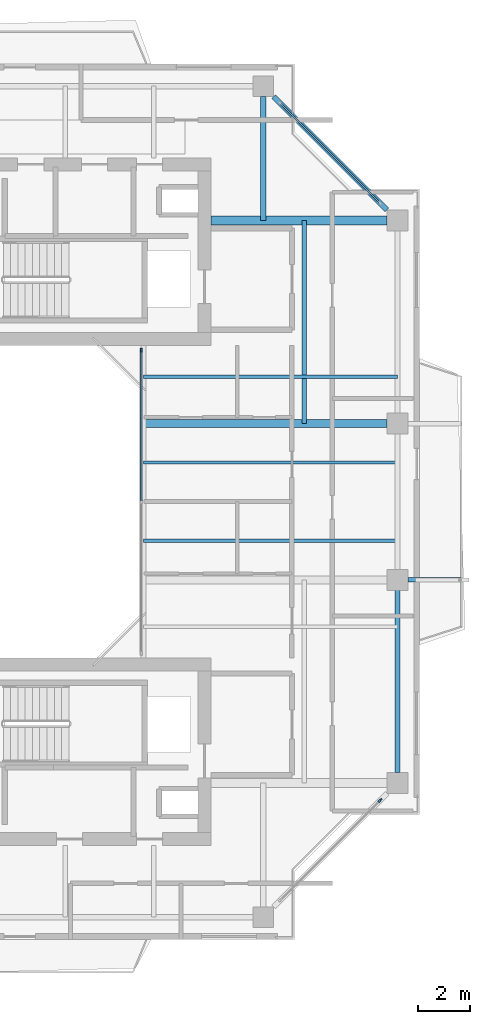
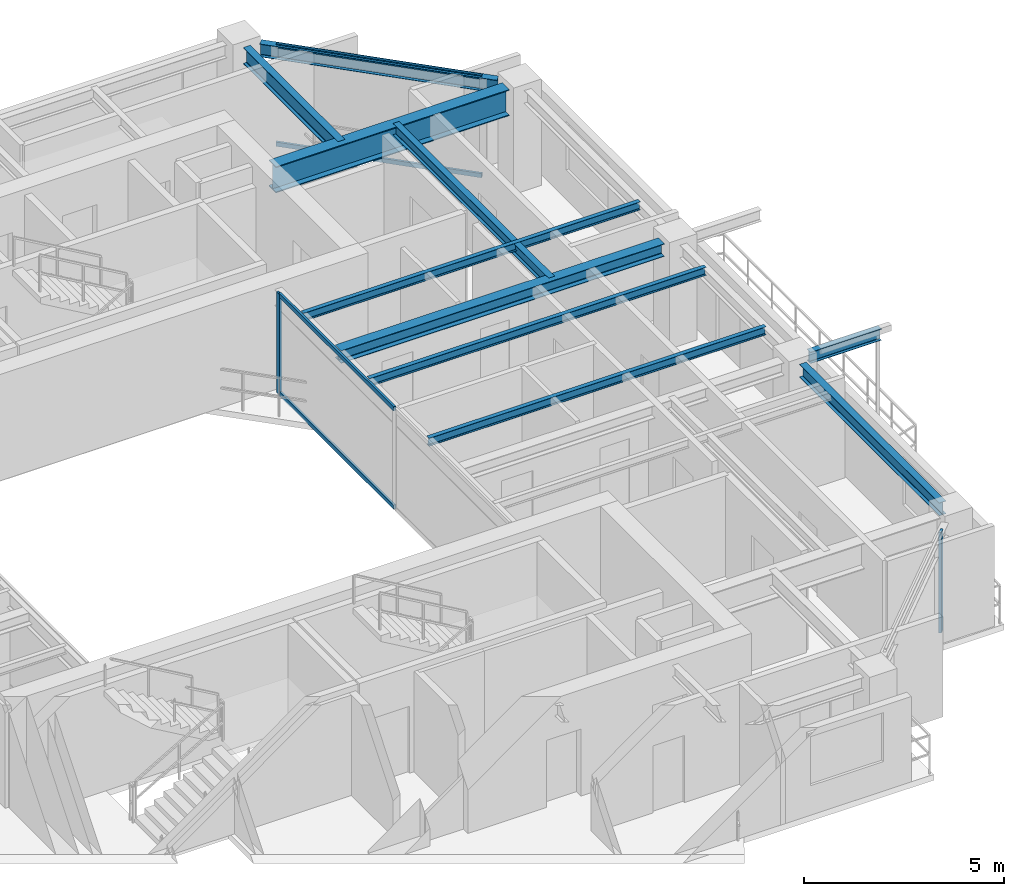
# One storey, part 6 of 15: 10 beams, 6 members, 3 elements without a shape of their own.
"""IFC4 building model written with IfcOpenShell, lengths in metres."""

from ifc_helpers import new_model, si_unit, direction, frame, origin, origin_2d, place, context, subcontext, project, spatial, rectangle, i_section, extrude, source, transform, mapped, material, layer, layer_set, material_profile, profile_set, type_object, element, aggregate, save


model = new_model("IFC4")

# Units and contexts
model_context = context("Model", 3, precision=1e-05, world=origin(), true_north=direction((0.0, 1.0)))
body_context = subcontext(model_context, "Body", "Model", "MODEL_VIEW")
ifc_project = project(units=[si_unit("LENGTHUNIT", "METRE"), si_unit("AREAUNIT", "SQUARE_METRE"), si_unit("VOLUMEUNIT", "CUBIC_METRE"), si_unit("PLANEANGLEUNIT", "RADIAN"), si_unit("MASSUNIT", "GRAM", prefix="KILO"), si_unit("THERMODYNAMICTEMPERATUREUNIT", "KELVIN"), si_unit("POWERUNIT", "WATT")], contexts=[model_context])

# Site, building, storey
site_placement = place(None, origin())
site = spatial("IfcSite", under=ifc_project, at=site_placement, CompositionType="ELEMENT")
building_placement = place(site_placement, origin())
building = spatial("IfcBuilding", under=site, at=building_placement, Name="Qiaomeng Ring Towers", CompositionType="ELEMENT")
storey_placement = place(building_placement, frame((0.0, 0.0, 206.75)))
storey = spatial("IfcBuildingStorey", under=building, at=storey_placement, Name="L60", CompositionType="ELEMENT", Elevation=206.75)

# Beams
ifc_material_1 = material(Name="Steel Q355B", Category="steel")
ifc_material_profile_1 = material_profile(ifc_material_1, i_section(OverallWidth=0.198974609375, OverallDepth=0.39599609375, WebThickness=0.007080078125, FlangeThickness=0.010986328125, FilletRadius=0.01611328125, at=origin_2d()), Name="HN 396x199x7x11")
ifc_profile_set_1 = profile_set([ifc_material_profile_1], Name="Steel Q355B")
beam_type_1 = type_object("IfcBeamType", Name="STR-BM-HN396", PredefinedType="SPANDREL", material=ifc_profile_set_1)
shared_shape_1 = source(origin(), body_context, "Body", "SweptSolid", [
    extrude(i_section(OverallWidth=0.198974609375, OverallDepth=0.39599609375, WebThickness=0.007080078125, FlangeThickness=0.010986328125, FilletRadius=0.01611328125, at=origin_2d()), origin(), (0.0, 0.0, 1.0), 6.154052734375),
])
beam_1_placement = place(storey_placement, frame((34.55078125, 34.19921875, 2.8720703125), z_axis=(-0.707106781187, 0.707106781187, 0.0), x_axis=(-0.707106781187, -0.707106781187, 0.0)))
element("IfcBeam", 1, at=beam_1_placement, inside=storey, type_object=beam_type_1, Name="L60 beam STR-SP-L60-T1-E4-N2", PredefinedType="SPANDREL", context=body_context, shape_type="MappedRepresentation", body=[
    mapped(shared_shape_1, transform((0.0, 0.0, 0.0), x_axis=(1.0, 0.0, 0.0), y_axis=(0.0, 1.0, 0.0), z_axis=(0.0, 0.0, 1.0), scale=1.0)),
])
shared_shape_2 = source(origin(), body_context, "Body", "SweptSolid", [
    extrude(i_section(OverallWidth=0.198974609375, OverallDepth=0.39599609375, WebThickness=0.007080078125, FlangeThickness=0.010986328125, FilletRadius=0.01611328125, at=origin_2d()), origin(), (0.0, 0.0, 1.0), 7.001953125),
])
beam_2_placement = place(storey_placement, frame((34.949951171875, 12.59912109375, 2.8720703125), z_axis=(0.0, 1.0, 0.0), x_axis=(-1.0, 0.0, 0.0)))
element("IfcBeam", 2, at=beam_2_placement, inside=storey, type_object=beam_type_1, Name="L60 beam STR-SP-L60-T1-E1-E2", PredefinedType="SPANDREL", context=body_context, shape_type="MappedRepresentation", body=[
    mapped(shared_shape_2, transform((0.0, 0.0, 0.0), x_axis=(1.0, 0.0, 0.0), y_axis=(0.0, 1.0, 0.0), z_axis=(0.0, 0.0, 1.0), scale=1.0)),
])
ifc_material_2 = material(Name="Steel Q390GJC", Category="steel")
ifc_material_profile_2 = material_profile(ifc_material_2, i_section(OverallWidth=0.35009765625, OverallDepth=0.800048828125, WebThickness=0.01611328125, FlangeThickness=0.028076171875, at=origin_2d()), Name="WH 800x350x16x28")
ifc_profile_set_2 = profile_set([ifc_material_profile_2], Name="Steel Q390GJC")
beam_type_2 = type_object("IfcBeamType", Name="STR-BM-WH800", PredefinedType="BEAM", material=ifc_profile_set_2)
shared_shape_3 = source(origin(), body_context, "Body", "SweptSolid", [
    extrude(i_section(OverallWidth=0.35009765625, OverallDepth=0.800048828125, WebThickness=0.01611328125, FlangeThickness=0.028076171875, at=origin_2d()), origin(), (0.0, 0.0, 1.0), 6.7509765625),
])
beam_3_placement = place(storey_placement, frame((27.800048828125, 33.800048828125, 2.669921875), z_axis=(1.0, 0.0, 0.0), x_axis=(0.0, 1.0, 0.0)))
element("IfcBeam", 3, at=beam_3_placement, inside=storey, type_object=beam_type_2, Name="L60 beam STR-BM-L60-T1-RAD-E4", PredefinedType="BEAM", context=body_context, shape_type="MappedRepresentation", body=[
    mapped(shared_shape_3, transform((0.0, 0.0, 0.0), x_axis=(1.0, 0.0, 0.0), y_axis=(0.0, 1.0, 0.0), z_axis=(0.0, 0.0, 1.0), scale=1.0)),
])
ifc_material_profile_3 = material_profile(ifc_material_1, i_section(OverallWidth=0.199951171875, OverallDepth=0.5, WebThickness=0.010009765625, FlangeThickness=0.01611328125, FilletRadius=0.02001953125, at=origin_2d()), Name="HN 500x200x10x16")
ifc_profile_set_3 = profile_set([ifc_material_profile_3], Name="Steel Q355B")
beam_type_3 = type_object("IfcBeamType", Name="STR-BM-HN500", PredefinedType="BEAM", material=ifc_profile_set_3)
shared_shape_4 = source(origin(), body_context, "Body", "SweptSolid", [
    extrude(i_section(OverallWidth=0.199951171875, OverallDepth=0.5, WebThickness=0.010009765625, FlangeThickness=0.01611328125, FilletRadius=0.02001953125, at=origin_2d()), origin(), (0.0, 0.0, 1.0), 4.7509765625),
])
beam_4_placement = place(storey_placement, frame((29.800048828125, 38.551025390625, 2.820068359375), z_axis=(0.0, -1.0, 0.0), x_axis=(1.0, 0.0, 0.0)))
element("IfcBeam", 4, at=beam_4_placement, inside=storey, type_object=beam_type_3, Name="L60 beam STR-BM-L60-T1-RAD-N2", PredefinedType="BEAM", context=body_context, shape_type="MappedRepresentation", body=[
    mapped(shared_shape_4, transform((0.0, 0.0, 0.0), x_axis=(1.0, 0.0, 0.0), y_axis=(0.0, 1.0, 0.0), z_axis=(0.0, 0.0, 1.0), scale=1.0)),
])
ifc_material_profile_4 = material_profile(ifc_material_1, i_section(OverallWidth=0.300048828125, OverallDepth=0.389892578125, WebThickness=0.010009765625, FlangeThickness=0.01611328125, FilletRadius=0.02197265625, at=origin_2d()), Name="HM 390x300x10x16")
ifc_profile_set_4 = profile_set([ifc_material_profile_4], Name="Steel Q355B")
beam_type_4 = type_object("IfcBeamType", Name="STR-BM-HM390", PredefinedType="BEAM", material=ifc_profile_set_4)
shared_shape_5 = source(origin(), body_context, "Body", "SweptSolid", [
    extrude(i_section(OverallWidth=0.300048828125, OverallDepth=0.389892578125, WebThickness=0.010009765625, FlangeThickness=0.01611328125, FilletRadius=0.02197265625, at=origin_2d()), origin(), (0.0, 0.0, 1.0), 9.35107421875),
])
beam_5_placement = place(storey_placement, frame((25.199951171875, 26.0, 2.875), z_axis=(1.0, 0.0, 0.0), x_axis=(0.0, 1.0, 0.0)))
element("IfcBeam", 5, at=beam_5_placement, inside=storey, type_object=beam_type_4, Name="L60 beam STR-BM-L60-T1-RAD-E3", PredefinedType="BEAM", context=body_context, shape_type="MappedRepresentation", body=[
    mapped(shared_shape_5, transform((0.0, 0.0, 0.0), x_axis=(1.0, 0.0, 0.0), y_axis=(0.0, 1.0, 0.0), z_axis=(0.0, 0.0, 1.0), scale=1.0)),
])
ifc_material_profile_5 = material_profile(ifc_material_1, i_section(OverallWidth=0.175048828125, OverallDepth=0.35009765625, WebThickness=0.007080078125, FlangeThickness=0.010986328125, FilletRadius=0.013916015625, at=origin_2d()), Name="HN 350x175x7x11")
ifc_profile_set_5 = profile_set([ifc_material_profile_5], Name="Steel Q355B")
beam_type_5 = type_object("IfcBeamType", Name="STR-BM-HN350", PredefinedType="JOIST", material=ifc_profile_set_5)
shared_shape_6 = source(origin(), body_context, "Body", "SweptSolid", [
    extrude(i_section(OverallWidth=0.175048828125, OverallDepth=0.35009765625, WebThickness=0.007080078125, FlangeThickness=0.010986328125, FilletRadius=0.013916015625, at=origin_2d()), origin(), (0.0, 0.0, 1.0), 2.05078125),
])
beam_6_placement = place(storey_placement, frame((35.34912109375, 20.0, 2.89501953125), z_axis=(1.0, 0.0, 0.0), x_axis=(0.0, 1.0, 0.0)))
element("IfcBeam", 6, at=beam_6_placement, inside=storey, type_object=beam_type_5, Name="L60 beam STR-BALBM-L60-E2", PredefinedType="JOIST", context=body_context, shape_type="MappedRepresentation", body=[
    mapped(shared_shape_6, transform((0.0, 0.0, 0.0), x_axis=(1.0, 0.0, 0.0), y_axis=(0.0, 1.0, 0.0), z_axis=(0.0, 0.0, 1.0), scale=1.0)),
])
ifc_material_profile_6 = material_profile(ifc_material_1, i_section(OverallWidth=0.125, OverallDepth=0.25, WebThickness=0.006103515625, FlangeThickness=0.009033203125, FilletRadius=0.011962890625, at=origin_2d()), Name="HN 250x125x6x9")
ifc_profile_set_6 = profile_set([ifc_material_profile_6], Name="Steel Q355B")
beam_type_6 = type_object("IfcBeamType", Name="STR-BM-HN250", PredefinedType="JOIST", material=ifc_profile_set_6)
shared_shape_7 = source(origin(), body_context, "Body", "SweptSolid", [
    extrude(i_section(OverallWidth=0.125, OverallDepth=0.25, WebThickness=0.006103515625, FlangeThickness=0.009033203125, FilletRadius=0.011962890625, at=origin_2d()), origin(), (0.0, 0.0, 1.0), 9.75),
])
for number, where, z_axis, x_axis, name in (
    (7, (25.199951171875, 21.5, 2.945068359375), (1.0, 0.0, 0.0), (0.0, 1.0, 0.0), "L60 beam STR-JST-L60-T1E-2"),
    (8, (25.199951171875, 24.5, 2.945068359375), (1.0, 0.0, 0.0), (0.0, 1.0, 0.0), "L60 beam STR-JST-L60-T1E-3"),
    (9, (25.199951171875, 27.800048828125, 2.945068359375), (1.0, 0.0, 0.0), (0.0, 1.0, 0.0), "L60 beam STR-JST-L60-T1E-4"),
):
    element("IfcBeam", number, at=place(storey_placement, frame(where, z_axis=z_axis, x_axis=x_axis)), inside=storey, type_object=beam_type_6, Name=name, PredefinedType="JOIST", context=body_context, shape_type="MappedRepresentation", body=[
        mapped(shared_shape_7, transform((0.0, 0.0, 0.0), x_axis=(1.0, 0.0, 0.0), y_axis=(0.0, 1.0, 0.0), z_axis=(0.0, 0.0, 1.0), scale=1.0)),
    ])
shared_shape_8 = source(origin(), body_context, "Body", "SweptSolid", [
    extrude(i_section(OverallWidth=0.175048828125, OverallDepth=0.35009765625, WebThickness=0.007080078125, FlangeThickness=0.010986328125, FilletRadius=0.013916015625, at=origin_2d()), origin(), (0.0, 0.0, 1.0), 7.800048828125),
])
beam_7_placement = place(storey_placement, frame((31.375, 26.0, 2.89501953125), z_axis=(0.0, 1.0, 0.0), x_axis=(-1.0, 0.0, 0.0)))
element("IfcBeam", 10, at=beam_7_placement, inside=storey, type_object=beam_type_5, Name="L60 beam STR-JST-L60-T1C-EN", PredefinedType="JOIST", context=body_context, shape_type="MappedRepresentation", body=[
    mapped(shared_shape_8, transform((0.0, 0.0, 0.0), x_axis=(1.0, 0.0, 0.0), y_axis=(0.0, 1.0, 0.0), z_axis=(0.0, 0.0, 1.0), scale=1.0)),
])

# Curtain wall, members
ifc_material_3 = material(Name="Fluorocarbon dark-grey aluminium", Category="aluminium")
ifc_layer_1 = layer(ifc_material_3, 0.139892578125, Name="Fluorocarbon dark-grey aluminium")
ifc_layer_set_1 = layer_set([ifc_layer_1], Name="Fluorocarbon dark-grey aluminium")
curtain_wall_type_1 = type_object("IfcCurtainWallType", Name="ARC-CW-4", PredefinedType="NOTDEFINED", material=ifc_layer_set_1)
curtain_wall_1_placement = place(storey_placement, origin())
curtain_wall_1 = element("IfcCurtainWall", 11, at=curtain_wall_1_placement, inside=storey, type_object=curtain_wall_type_1, Name="L60 Curtain Wall CW4", PredefinedType="NOTDEFINED")
ifc_material_profile_7 = material_profile(ifc_material_3, rectangle(XDim=0.06494140625, YDim=0.159912109375, at=origin_2d()), Name="ALU MULL 65x160")
ifc_profile_set_7 = profile_set([ifc_material_profile_7], Name="Fluorocarbon dark-grey aluminium")
member_type_1 = type_object("IfcMemberType", Name="ARC-CWM-140", PredefinedType="MULLION", material=ifc_profile_set_7)
shared_shape_9 = source(origin(), body_context, "Body", "SweptSolid", [
    extrude(rectangle(XDim=0.06494140625, YDim=0.159912109375, at=origin_2d()), origin(), (0.0, 0.0, 1.0), 3.070068359375),
])
member_1_placement = place(storey_placement, frame((25.1201171875, 28.8173828125, 0.0), z_axis=(0.0, 0.0, 1.0), x_axis=(-1.0, 0.0, 0.0)))
member_1 = element("IfcMember", 12, at=member_1_placement, type_object=member_type_1, Name="CW4 mullion 3", PredefinedType="MULLION", context=body_context, shape_type="MappedRepresentation", body=[
    mapped(shared_shape_9, transform((0.0, 0.0, 0.0), x_axis=(1.0, 0.0, 0.0), y_axis=(0.0, 1.0, 0.0), z_axis=(0.0, 0.0, 1.0), scale=1.0)),
])
ifc_material_profile_8 = material_profile(ifc_material_3, rectangle(XDim=0.06494140625, YDim=0.1298828125, at=origin_2d()), Name="ALU TRAN 65x130")
ifc_profile_set_8 = profile_set([ifc_material_profile_8], Name="Fluorocarbon dark-grey aluminium")
member_type_2 = type_object("IfcMemberType", Name="ARC-CWT-120", PredefinedType="USERDEFINED", material=ifc_profile_set_8)
shared_shape_10 = source(origin(), body_context, "Body", "SweptSolid", [
    extrude(rectangle(XDim=0.06494140625, YDim=0.1298828125, at=origin_2d()), origin(), (0.0, 0.0, 1.0), 5.75244140625),
])
member_2_placement = place(storey_placement, frame((25.1201171875, 23.032470703125, 0.032470703125), z_axis=(0.0, 1.0, 0.0), x_axis=(-1.0, 0.0, 0.0)))
member_2 = element("IfcMember", 13, at=member_2_placement, type_object=member_type_2, Name="CW4 transom 2.1", ObjectType="TRANSOM", PredefinedType="USERDEFINED", context=body_context, shape_type="MappedRepresentation", body=[
    mapped(shared_shape_10, transform((0.0, 0.0, 0.0), x_axis=(1.0, 0.0, 0.0), y_axis=(0.0, 1.0, 0.0), z_axis=(0.0, 0.0, 1.0), scale=1.0)),
])
member_3_placement = place(storey_placement, frame((25.1201171875, 23.032470703125, 3.03759765625), z_axis=(0.0, 1.0, 0.0), x_axis=(-1.0, 0.0, 0.0)))
member_3 = element("IfcMember", 14, at=member_3_placement, type_object=member_type_2, Name="CW4 transom 2.2", ObjectType="TRANSOM", PredefinedType="USERDEFINED", context=body_context, shape_type="MappedRepresentation", body=[
    mapped(shared_shape_10, transform((0.0, 0.0, 0.0), x_axis=(1.0, 0.0, 0.0), y_axis=(0.0, 1.0, 0.0), z_axis=(0.0, 0.0, 1.0), scale=1.0)),
])
aggregate(curtain_wall_1, [member_1, member_2, member_3])

# Curtain wall, member
ifc_layer_2 = layer(ifc_material_3, 0.14990234375, Name="Fluorocarbon dark-grey aluminium")
ifc_layer_set_2 = layer_set([ifc_layer_2], Name="Fluorocarbon dark-grey aluminium")
curtain_wall_type_2 = type_object("IfcCurtainWallType", Name="ARC-CW-3", PredefinedType="NOTDEFINED", material=ifc_layer_set_2)
curtain_wall_2_placement = place(storey_placement, origin())
curtain_wall_2 = element("IfcCurtainWall", 15, at=curtain_wall_2_placement, inside=storey, type_object=curtain_wall_type_2, Name="L60 Curtain Wall CW3", PredefinedType="NOTDEFINED")
ifc_material_profile_9 = material_profile(ifc_material_3, rectangle(XDim=0.070068359375, YDim=0.179931640625, at=origin_2d()), Name="ALU MULL 70x180")
ifc_profile_set_9 = profile_set([ifc_material_profile_9], Name="Fluorocarbon dark-grey aluminium")
member_type_3 = type_object("IfcMemberType", Name="ARC-CWM-160", PredefinedType="MULLION", material=ifc_profile_set_9)
shared_shape_11 = source(origin(), body_context, "Body", "SweptSolid", [
    extrude(rectangle(XDim=0.070068359375, YDim=0.179931640625, at=origin_2d()), origin(), (0.0, 0.0, 1.0), 3.070068359375),
])
member_4_placement = place(storey_placement, frame((34.28515625, 11.53515625, 0.0), z_axis=(0.0, 0.0, 1.0), x_axis=(-0.707106781187, 0.707106781187, 0.0)))
member_4 = element("IfcMember", 16, at=member_4_placement, type_object=member_type_3, Name="CW3 mullion 2", PredefinedType="MULLION", context=body_context, shape_type="MappedRepresentation", body=[
    mapped(shared_shape_11, transform((0.0, 0.0, 0.0), x_axis=(1.0, 0.0, 0.0), y_axis=(0.0, 1.0, 0.0), z_axis=(0.0, 0.0, 1.0), scale=1.0)),
])
aggregate(curtain_wall_2, [member_4])

# Curtain wall, members
curtain_wall_3_placement = place(storey_placement, origin())
curtain_wall_3 = element("IfcCurtainWall", 17, at=curtain_wall_3_placement, inside=storey, type_object=curtain_wall_type_2, Name="L60 Curtain Wall CW3", PredefinedType="NOTDEFINED")
shared_shape_12 = source(origin(), body_context, "Body", "SweptSolid", [
    extrude(rectangle(XDim=0.06494140625, YDim=0.1298828125, at=origin_2d()), origin(), (0.0, 0.0, 1.0), 5.3330078125),
])
member_5_placement = place(storey_placement, frame((34.260498046875, 34.489501953125, 0.032470703125), z_axis=(-0.707106781187, 0.707106781187, 0.0), x_axis=(-0.707106781187, -0.707106781187, 0.0)))
member_5 = element("IfcMember", 18, at=member_5_placement, type_object=member_type_2, Name="CW3 transom 1.1", ObjectType="TRANSOM", PredefinedType="USERDEFINED", context=body_context, shape_type="MappedRepresentation", body=[
    mapped(shared_shape_12, transform((0.0, 0.0, 0.0), x_axis=(1.0, 0.0, 0.0), y_axis=(0.0, 1.0, 0.0), z_axis=(0.0, 0.0, 1.0), scale=1.0)),
])
member_6_placement = place(storey_placement, frame((34.260498046875, 34.489501953125, 3.03759765625), z_axis=(-0.707106781187, 0.707106781187, 0.0), x_axis=(-0.707106781187, -0.707106781187, 0.0)))
member_6 = element("IfcMember", 19, at=member_6_placement, type_object=member_type_2, Name="CW3 transom 1.2", ObjectType="TRANSOM", PredefinedType="USERDEFINED", context=body_context, shape_type="MappedRepresentation", body=[
    mapped(shared_shape_12, transform((0.0, 0.0, 0.0), x_axis=(1.0, 0.0, 0.0), y_axis=(0.0, 1.0, 0.0), z_axis=(0.0, 0.0, 1.0), scale=1.0)),
])
aggregate(curtain_wall_3, [member_5, member_6])

save(model, "model.ifc")
